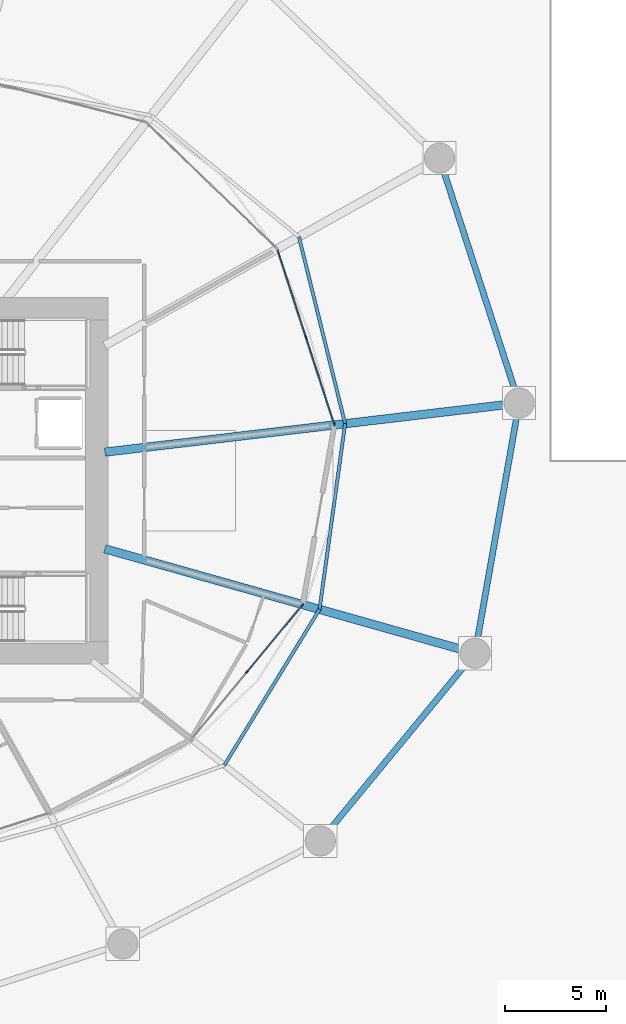
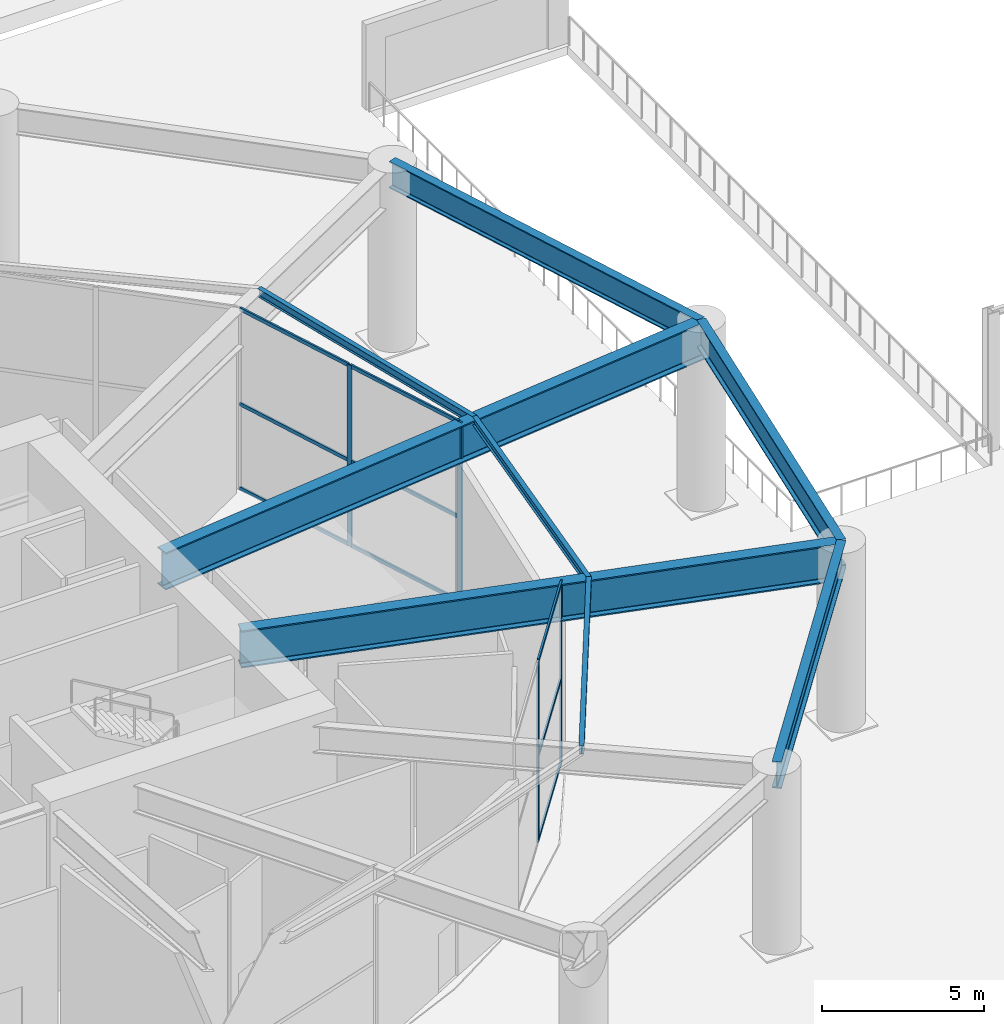
# One storey, part 14 of 28: 13 members, 8 beams, 2 elements without a shape of their own.
"""IFC4 building model written with IfcOpenShell, lengths in metres."""

import ifcopenshell
import ifcopenshell.guid

model = None  # the IFC model being written
_history = None  # IfcOwnerHistory: only IFC2X3 demands one
_inside = {}  # id of a spatial element -> (the spatial element, [elements in it])
_under = {}  # id of a project, library or spatial element -> (it, [spatial elements below it])
_declared = {}  # id of a project -> (the project, [libraries it declares])
_typed = {}  # id of a type object -> (the type object, [elements of that type])
_made_of = {}  # id of a material, layer set ... -> (it, [elements and type objects made of it])


def new_model(schema):
    """Start an empty IFC model of exactly this schema.

    Asked for "IFC4X3", IfcOpenShell would pick the latest addendum, in which some entities
    have other attributes; the version numbers below select the first issue.
    IFC2X3 requires an IfcOwnerHistory on every rooted entity: one is made here for all.
    """
    global model, _history
    if schema == "IFC4X3":
        model = ifcopenshell.file(schema_version=(4, 3, 0, 0))
    else:
        model = ifcopenshell.file(schema=schema)
    _inside.clear()
    _under.clear()
    _declared.clear()
    _typed.clear()
    _made_of.clear()
    _history = None
    if model.schema == "IFC2X3":
        org = make("IfcOrganization", Name="unknown")
        user = make(
            "IfcPersonAndOrganization",
            ThePerson=make("IfcPerson", FamilyName="unknown"),
            TheOrganization=org,
        )
        app = make(
            "IfcApplication",
            ApplicationDeveloper=org,
            Version="unknown",
            ApplicationFullName="unknown",
            ApplicationIdentifier="unknown",
        )
        _history = make(
            "IfcOwnerHistory",
            OwningUser=user,
            OwningApplication=app,
            ChangeAction="ADDED",
            CreationDate=0,
        )
    return model


def make(cls, **values):
    """One entity of the class cls with the attributes given. An attribute that is None is left unset."""
    return model.create_entity(
        cls, **{name: value for name, value in values.items() if value is not None}
    )


def rooted(cls, **values):
    """An entity with a GlobalId (a new one), such as an element, a storey or a relation."""
    return make(cls, GlobalId=ifcopenshell.guid.new(), OwnerHistory=_history, **values)


def si_unit(unit_type, name, prefix=None):
    """IfcSIUnit, for example si_unit("LENGTHUNIT", "METRE", prefix="MILLI")."""
    return make("IfcSIUnit", UnitType=unit_type, Prefix=prefix, Name=name)


def assignment(units):
    """IfcUnitAssignment: the units of a project."""
    return None if units is None else make("IfcUnitAssignment", Units=units)


def point(xyz):
    """IfcCartesianPoint."""
    return None if xyz is None else make("IfcCartesianPoint", Coordinates=xyz)


def direction(xyz):
    """IfcDirection."""
    return None if xyz is None else make("IfcDirection", DirectionRatios=xyz)


def frame(location, z_axis=None, x_axis=None):
    """IfcAxis2Placement3D, a coordinate frame: its origin and axes. An axis left out is left unset."""
    return make(
        "IfcAxis2Placement3D",
        Location=point(location),
        Axis=direction(z_axis),
        RefDirection=direction(x_axis),
    )


def frame_2d(location, x_axis=None):
    """IfcAxis2Placement2D, a coordinate frame in the plane: its origin and x axis."""
    return make(
        "IfcAxis2Placement2D", Location=point(location), RefDirection=direction(x_axis)
    )


def origin():
    """The frame at (0, 0, 0) with its axes left unset."""
    return frame((0.0, 0.0, 0.0))


def origin_2d():
    """The frame at (0, 0) in the plane with its x axis left unset."""
    return frame_2d((0.0, 0.0))


def place(relative_to, where):
    """IfcLocalPlacement: puts the frame where relative to a parent placement (None: the world)."""
    return make(
        "IfcLocalPlacement", PlacementRelTo=relative_to, RelativePlacement=where
    )


def context(
    kind, dimensions, precision=None, world=None, true_north=None, identifier=None
):
    """IfcGeometricRepresentationContext, for example the 3D "Model" context."""
    return make(
        "IfcGeometricRepresentationContext",
        ContextIdentifier=identifier,
        ContextType=kind,
        CoordinateSpaceDimension=dimensions,
        Precision=precision,
        WorldCoordinateSystem=world,
        TrueNorth=true_north,
    )


def subcontext(parent, identifier, kind, view, scale=None):
    """IfcGeometricRepresentationSubContext, for example "Body" below "Model"."""
    return make(
        "IfcGeometricRepresentationSubContext",
        ContextIdentifier=identifier,
        ContextType=kind,
        ParentContext=parent,
        TargetScale=scale,
        TargetView=view,
    )


def project(units=None, contexts=None):
    """IfcProject with its units and contexts."""
    return rooted(
        "IfcProject",
        Name="project",
        RepresentationContexts=contexts,
        UnitsInContext=assignment(units),
    )


def spatial(cls, under=None, at=None, **own):
    """A site, building, storey or space (cls), placed at a placement, below another one or the project."""
    s = rooted(cls, ObjectPlacement=at, **own)
    if under is not None:
        _under.setdefault(under.id(), (under, []))[1].append(s)
    return s


def profile(cls, at=None, kind="AREA", **sizes):
    """A parametric profile (cls). Its sizes go by their IFC names, for example OverallWidth=200.0."""
    return make(cls, ProfileType=kind, Position=at, **sizes)


def rectangle(**sizes):
    """IfcRectangleProfileDef."""
    return profile("IfcRectangleProfileDef", **sizes)


def i_section(**sizes):
    """IfcIShapeProfileDef."""
    return profile("IfcIShapeProfileDef", **sizes)


def extrude(swept, where, along, depth):
    """IfcExtrudedAreaSolid: the profile swept, set in the frame where, extruded along a direction by depth."""
    return make(
        "IfcExtrudedAreaSolid",
        SweptArea=swept,
        Position=where,
        ExtrudedDirection=direction(along),
        Depth=depth,
    )


def shape(context_of_items, identifier, shape_type, items):
    """IfcShapeRepresentation: the items that make up one representation, for example the "Body"."""
    return make(
        "IfcShapeRepresentation",
        ContextOfItems=context_of_items,
        RepresentationIdentifier=identifier,
        RepresentationType=shape_type,
        Items=items,
    )


def material(Name=None, Category=None):
    """IfcMaterial."""
    return make("IfcMaterial", Name=Name, Category=Category)


def layer(
    of_material, thickness, ventilated=None, Name=None, Category=None, Priority=None
):
    """IfcMaterialLayer: one layer of a wall or slab, of a material (None: an air gap)."""
    return make(
        "IfcMaterialLayer",
        Material=of_material,
        LayerThickness=thickness,
        IsVentilated=ventilated,
        Name=Name,
        Category=Category,
        Priority=Priority,
    )


def layer_set(layers, Name=None):
    """IfcMaterialLayerSet."""
    return make("IfcMaterialLayerSet", MaterialLayers=layers, LayerSetName=Name)


def material_profile(
    of_material, cross_section, Name=None, Category=None, Priority=None
):
    """IfcMaterialProfile: a cross section and its material."""
    return make(
        "IfcMaterialProfile",
        Name=Name,
        Material=of_material,
        Profile=cross_section,
        Priority=Priority,
        Category=Category,
    )


def profile_set(profiles, Name=None, composite=None):
    """IfcMaterialProfileSet."""
    return make(
        "IfcMaterialProfileSet",
        Name=Name,
        MaterialProfiles=profiles,
        CompositeProfile=composite,
    )


def made_of(thing, what):
    """Note that an element or type object is made of a material, layer set ...; save() writes the relation."""
    if what is not None:
        _made_of.setdefault(what.id(), (what, []))[1].append(thing)
    return thing


def type_object(cls, material=None, **own):
    """A type object (cls), such as IfcWallType, which elements share."""
    return made_of(rooted(cls, **own), material)


def element(
    cls,
    number,
    at=None,
    inside=None,
    cuts=None,
    type_object=None,
    material=None,
    context=None,
    identifier="Body",
    shape_type=None,
    held_by="IfcProductDefinitionShape",
    body=None,
    shapes=None,
    **own,
):
    """One element of the class cls, such as IfcWall. Its Tag is "e" and its number.

    at: its placement. inside: the storey or other place that contains it. cuts: it is an
    opening in that element (IfcRelVoidsElement). A single representation is given by context,
    identifier, shape_type and body (its items); several are given by shapes. held_by: the class
    of the entity that holds the representations. save() writes the other relations.
    """
    e = rooted(cls, Tag="e%d" % number, ObjectPlacement=at, **own)
    if body is not None:
        shapes = [shape(context, identifier, shape_type, body)]
    if shapes is not None:
        e.Representation = make(held_by, Representations=shapes)
    if inside is not None:
        _inside.setdefault(inside.id(), (inside, []))[1].append(e)
    if cuts is not None:
        rooted(
            "IfcRelVoidsElement", RelatingBuildingElement=cuts, RelatedOpeningElement=e
        )
    if type_object is not None:
        _typed.setdefault(type_object.id(), (type_object, []))[1].append(e)
    return made_of(e, material)


def aggregate(whole, parts):
    """IfcRelAggregates: a whole, such as a stair, and the parts it consists of."""
    return rooted("IfcRelAggregates", RelatingObject=whole, RelatedObjects=parts)


def save(model, path):
    """Write the relations noted so far, then the file.

    IfcRelAggregates (storeys below a building ...), IfcRelContainedInSpatialStructure (elements
    in a storey), IfcRelDefinesByType, IfcRelAssociatesMaterial and IfcRelDeclares: one each for
    every whole, place, type object, material and project.
    """
    for whole, parts in _under.values():
        aggregate(whole, parts)
    for where, things in _inside.values():
        rooted(
            "IfcRelContainedInSpatialStructure",
            RelatedElements=things,
            RelatingStructure=where,
        )
    for kind, things in _typed.values():
        rooted("IfcRelDefinesByType", RelatedObjects=things, RelatingType=kind)
    for what, things in _made_of.values():
        rooted("IfcRelAssociatesMaterial", RelatedObjects=things, RelatingMaterial=what)
    for by, libraries in _declared.values():
        rooted("IfcRelDeclares", RelatingContext=by, RelatedDefinitions=libraries)
    model.write(path)


model = new_model("IFC4")

# Units and contexts
model_context = context("Model", 3, precision=1e-05, world=origin(), true_north=direction((0.0, 1.0)))
body_context = subcontext(model_context, "Body", "Model", "MODEL_VIEW")
ifc_project = project(units=[si_unit("LENGTHUNIT", "METRE"), si_unit("AREAUNIT", "SQUARE_METRE"), si_unit("VOLUMEUNIT", "CUBIC_METRE"), si_unit("PLANEANGLEUNIT", "RADIAN"), si_unit("MASSUNIT", "GRAM", prefix="KILO")], contexts=[model_context])

# Site, building, storey
site_placement = place(None, origin())
site = spatial("IfcSite", under=ifc_project, at=site_placement, CompositionType="ELEMENT")
building_placement = place(site_placement, origin())
building = spatial("IfcBuilding", under=site, at=building_placement, Name="Kazma Halo Residences", CompositionType="ELEMENT")
storey_placement = place(building_placement, origin())
storey = spatial("IfcBuildingStorey", under=building, at=storey_placement, Name="L00", CompositionType="ELEMENT", Elevation=0.0)

# Beams
ifc_material_1 = material(Name="Steel S355", Category="steel")
ifc_material_profile_1 = material_profile(ifc_material_1, i_section(OverallWidth=0.1650390625, OverallDepth=0.31005859375, WebThickness=0.005859375, FlangeThickness=0.009765625, FilletRadius=0.011962890625, at=origin_2d()), Name="W310x38.7")
ifc_profile_set_1 = profile_set([ifc_material_profile_1], Name="Steel S355")
beam_type_1 = type_object("IfcBeamType", Name="BM-SEC-W310B", PredefinedType="JOIST", material=ifc_profile_set_1)
beam_1_placement = place(storey_placement, frame((65.939453125, 27.857666015625, 6.64501953125), z_axis=(0.521128000965, 0.853478533187, 0.0), x_axis=(-0.853478533187, 0.521128000965, 0.0)))
element("IfcBeam", 1, at=beam_1_placement, inside=storey, type_object=beam_type_1, Name="L00 circumferential floor joist 14", PredefinedType="JOIST", context=body_context, shape_type="SweptSolid", body=[
    extrude(i_section(OverallWidth=0.1650390625, OverallDepth=0.31005859375, WebThickness=0.005859375, FlangeThickness=0.009765625, FilletRadius=0.011962890625, at=origin_2d()), origin(), (0.0, 0.0, 1.0), 9.078857421875),
])
beam_2_placement = place(storey_placement, frame((70.670654296875, 35.606201171875, 6.64501953125), z_axis=(0.136476861279, 0.990643258865, 0.0), x_axis=(-0.990643258865, 0.136476861279, 0.0)))
element("IfcBeam", 2, at=beam_2_placement, inside=storey, type_object=beam_type_1, Name="L00 circumferential floor joist 15", PredefinedType="JOIST", context=body_context, shape_type="SweptSolid", body=[
    extrude(i_section(OverallWidth=0.1650390625, OverallDepth=0.31005859375, WebThickness=0.005859375, FlangeThickness=0.009765625, FilletRadius=0.011962890625, at=origin_2d()), origin(), (0.0, 0.0, 1.0), 9.314697265625),
])
beam_3_placement = place(storey_placement, frame((71.94189453125, 44.833740234375, 6.64501953125), z_axis=(-0.239845066169, 0.970811178466, 0.0), x_axis=(-0.970811178466, -0.239845066169, 0.0)))
element("IfcBeam", 3, at=beam_3_placement, inside=storey, type_object=beam_type_1, Name="L00 circumferential floor joist 16", PredefinedType="JOIST", context=body_context, shape_type="SweptSolid", body=[
    extrude(i_section(OverallWidth=0.1650390625, OverallDepth=0.31005859375, WebThickness=0.005859375, FlangeThickness=0.009765625, FilletRadius=0.011962890625, at=origin_2d()), origin(), (0.0, 0.0, 1.0), 9.568359375),
])
ifc_material_profile_2 = material_profile(ifc_material_1, i_section(OverallWidth=0.419921875, OverallDepth=1.39990234375, WebThickness=0.02587890625, FlangeThickness=0.048095703125, FilletRadius=0.02392578125, at=origin_2d()), Name="PG1400x580")
ifc_profile_set_2 = profile_set([ifc_material_profile_2], Name="Steel S355")
beam_type_2 = type_object("IfcBeamType", Name="BM-TRANS-PG1400", PredefinedType="BEAM", material=ifc_profile_set_2)
beam_4_placement = place(storey_placement, frame((60.0, 38.615478515625, 6.10009765625), z_axis=(0.962458146095, -0.271430132845, 0.0), x_axis=(0.271430132845, 0.962458146095, 0.0)))
element("IfcBeam", 4, at=beam_4_placement, inside=storey, type_object=beam_type_2, Name="L00 lobe radial plate transfer girder 15", PredefinedType="BEAM", context=body_context, shape_type="SweptSolid", body=[
    extrude(i_section(OverallWidth=0.419921875, OverallDepth=1.39990234375, WebThickness=0.02587890625, FlangeThickness=0.048095703125, FilletRadius=0.02392578125, at=origin_2d()), origin(), (0.0, 0.0, 1.0), 19.115234375),
])
beam_5_placement = place(storey_placement, frame((60.0, 43.42041015625, 6.10009765625), z_axis=(0.993069425949, 0.117529210178, 0.0), x_axis=(-0.117529210178, 0.993069425949, 0.0)))
element("IfcBeam", 5, at=beam_5_placement, inside=storey, type_object=beam_type_2, Name="L00 lobe radial plate transfer girder 16", PredefinedType="BEAM", context=body_context, shape_type="SweptSolid", body=[
    extrude(i_section(OverallWidth=0.419921875, OverallDepth=1.39990234375, WebThickness=0.02587890625, FlangeThickness=0.048095703125, FilletRadius=0.02392578125, at=origin_2d()), origin(), (0.0, 0.0, 1.0), 20.7333984375),
])
ifc_material_profile_3 = material_profile(ifc_material_1, i_section(OverallWidth=0.300048828125, OverallDepth=1.0, WebThickness=0.01904296875, FlangeThickness=0.0400390625, FilletRadius=0.02587890625, at=origin_2d()), Name="W1000x371")
ifc_profile_set_3 = profile_set([ifc_material_profile_3], Name="Steel S355")
beam_type_3 = type_object("IfcBeamType", Name="BM-TRANS-W1000B", PredefinedType="BEAM", material=ifc_profile_set_3)
beam_6_placement = place(storey_placement, frame((70.708984375, 24.09765625, 6.300048828125), z_axis=(0.635989643733, 0.771697591718, 0.0), x_axis=(-0.771697591718, 0.635989643733, 0.0)))
element("IfcBeam", 6, at=beam_6_placement, inside=storey, type_object=beam_type_3, Name="L00 perimeter ring beam 14", PredefinedType="BEAM", context=body_context, shape_type="SweptSolid", body=[
    extrude(i_section(OverallWidth=0.300048828125, OverallDepth=1.0, WebThickness=0.01904296875, FlangeThickness=0.0400390625, FilletRadius=0.02587890625, at=origin_2d()), origin(), (0.0, 0.0, 1.0), 12.08935546875),
])
beam_7_placement = place(storey_placement, frame((78.397705078125, 33.427001953125, 6.300048828125), z_axis=(0.173657334149, 0.984806138434, 0.0), x_axis=(-0.984806138434, 0.173657334149, 0.0)))
element("IfcBeam", 7, at=beam_7_placement, inside=storey, type_object=beam_type_3, Name="L00 perimeter ring beam 15", PredefinedType="BEAM", context=body_context, shape_type="SweptSolid", body=[
    extrude(i_section(OverallWidth=0.300048828125, OverallDepth=1.0, WebThickness=0.01904296875, FlangeThickness=0.0400390625, FilletRadius=0.02587890625, at=origin_2d()), origin(), (0.0, 0.0, 1.0), 12.6220703125),
])
beam_8_placement = place(storey_placement, frame((80.589599609375, 45.857177734375, 6.300048828125), z_axis=(-0.3090114866, 0.951058305862, 0.0), x_axis=(-0.951058305862, -0.3090114866, 0.0)))
element("IfcBeam", 8, at=beam_8_placement, inside=storey, type_object=beam_type_3, Name="L00 perimeter ring beam 16", PredefinedType="BEAM", context=body_context, shape_type="SweptSolid", body=[
    extrude(i_section(OverallWidth=0.300048828125, OverallDepth=1.0, WebThickness=0.01904296875, FlangeThickness=0.0400390625, FilletRadius=0.02587890625, at=origin_2d()), origin(), (0.0, 0.0, 1.0), 12.8046875),
])

# Curtain wall, members
ifc_material_2 = material(Name="Aluminium AW-6063 T6 and Triple-Silver Low-E Glass", Category="aluminium")
ifc_layer = layer(ifc_material_2, 0.179931640625)
ifc_layer_set = layer_set([ifc_layer], Name="Aluminium AW-6063 T6 and Triple-Silver Low-E Glass")
curtain_wall_type = type_object("IfcCurtainWallType", Name="CW-SYS-1", PredefinedType="NOTDEFINED", material=ifc_layer_set)
curtain_wall_1_placement = place(storey_placement, origin())
curtain_wall_1 = element("IfcCurtainWall", 9, at=curtain_wall_1_placement, inside=storey, type_object=curtain_wall_type, Name="L00 lobby unitised curtain wall 14", PredefinedType="NOTDEFINED")
ifc_material_3 = material(Name="Aluminium AW-6063 T6", Category="aluminium")
ifc_material_profile_4 = material_profile(ifc_material_3, rectangle(XDim=0.06494140625, YDim=0.179931640625, at=origin_2d()), Name="CWM-65x180")
ifc_profile_set_4 = profile_set([ifc_material_profile_4], Name="Aluminium AW-6063 T6")
member_type_1 = type_object("IfcMemberType", Name="CW-SYS-1-MUL", PredefinedType="MULLION", material=ifc_profile_set_4)
member_1_placement = place(storey_placement, frame((67.069091796875, 32.49462890625, 0.0), z_axis=(0.0, 0.0, 1.0), x_axis=(-0.770944051001, 0.636902873463, 0.0)))
member_1 = element("IfcMember", 10, at=member_1_placement, type_object=member_type_1, Name="CWS-1 mullion 2", PredefinedType="MULLION", context=body_context, shape_type="SweptSolid", body=[
    extrude(rectangle(XDim=0.06494140625, YDim=0.179931640625, at=origin_2d()), origin(), (0.0, 0.0, 1.0), 6.800048828125),
])
member_2_placement = place(storey_placement, frame((69.813720703125, 35.81689453125, 0.0), z_axis=(0.0, 0.0, 1.0), x_axis=(-0.770944051001, 0.636902873463, 0.0)))
member_2 = element("IfcMember", 11, at=member_2_placement, type_object=member_type_1, Name="CWS-1 mullion 3", PredefinedType="MULLION", context=body_context, shape_type="SweptSolid", body=[
    extrude(rectangle(XDim=0.06494140625, YDim=0.179931640625, at=origin_2d()), origin(), (0.0, 0.0, 1.0), 6.800048828125),
])

curtain_wall_2_placement = place(storey_placement, origin())
curtain_wall_2 = element("IfcCurtainWall", 12, at=curtain_wall_2_placement, inside=storey, type_object=curtain_wall_type, Name="L00 lobby unitised curtain wall 16", PredefinedType="NOTDEFINED")
member_3_placement = place(storey_placement, frame((71.403564453125, 44.802001953125, 0.0), z_axis=(0.0, 0.0, 1.0), x_axis=(-0.951057232628, -0.309014789719, 0.0)))
member_3 = element("IfcMember", 13, at=member_3_placement, type_object=member_type_1, Name="CWS-1 mullion 1", PredefinedType="MULLION", context=body_context, shape_type="SweptSolid", body=[
    extrude(rectangle(XDim=0.06494140625, YDim=0.179931640625, at=origin_2d()), origin(), (0.0, 0.0, 1.0), 6.800048828125),
])
member_4_placement = place(storey_placement, frame((69.9921875, 49.145751953125, 0.0), z_axis=(0.0, 0.0, 1.0), x_axis=(-0.951057232628, -0.309014789719, 0.0)))
member_4 = element("IfcMember", 14, at=member_4_placement, type_object=member_type_1, Name="CWS-1 mullion 2", PredefinedType="MULLION", context=body_context, shape_type="SweptSolid", body=[
    extrude(rectangle(XDim=0.06494140625, YDim=0.179931640625, at=origin_2d()), origin(), (0.0, 0.0, 1.0), 6.800048828125),
])

# Member
ifc_material_profile_5 = material_profile(ifc_material_3, rectangle(XDim=0.06494140625, YDim=0.135009765625, at=origin_2d()), Name="CWT-65x135")
ifc_profile_set_5 = profile_set([ifc_material_profile_5], Name="Aluminium AW-6063 T6")
member_type_2 = type_object("IfcMemberType", Name="CW-SYS-1-TRN", PredefinedType="USERDEFINED", material=ifc_profile_set_5)
member_5_placement = place(storey_placement, frame((67.08984375, 32.519775390625, 0.032470703125), z_axis=(0.636914148558, 0.770934736126, 0.0), x_axis=(-0.770934736126, 0.636914148558, 0.0)))
member_5 = element("IfcMember", 15, at=member_5_placement, type_object=member_type_2, Name="CWS-1 transom 2.1", ObjectType="TRANSOM", PredefinedType="USERDEFINED", context=body_context, shape_type="SweptSolid", body=[
    extrude(rectangle(XDim=0.06494140625, YDim=0.135009765625, at=origin_2d()), origin(), (0.0, 0.0, 1.0), 4.244384765625),
])

member_6_placement = place(storey_placement, frame((67.08984375, 32.519775390625, 3.199951171875), z_axis=(0.636914148558, 0.770934736126, 0.0), x_axis=(-0.770934736126, 0.636914148558, 0.0)))
member_6 = element("IfcMember", 16, at=member_6_placement, type_object=member_type_2, Name="CWS-1 transom 2.2", ObjectType="TRANSOM", PredefinedType="USERDEFINED", context=body_context, shape_type="SweptSolid", body=[
    extrude(rectangle(XDim=0.06494140625, YDim=0.135009765625, at=origin_2d()), origin(), (0.0, 0.0, 1.0), 4.244384765625),
])

member_7_placement = place(storey_placement, frame((67.08984375, 32.519775390625, 6.767578125), z_axis=(0.636914148558, 0.770934736126, 0.0), x_axis=(-0.770934736126, 0.636914148558, 0.0)))
member_7 = element("IfcMember", 17, at=member_7_placement, type_object=member_type_2, Name="CWS-1 transom 2.3", ObjectType="TRANSOM", PredefinedType="USERDEFINED", context=body_context, shape_type="SweptSolid", body=[
    extrude(rectangle(XDim=0.06494140625, YDim=0.135009765625, at=origin_2d()), origin(), (0.0, 0.0, 1.0), 4.244384765625),
])

aggregate(curtain_wall_1, [member_1, member_2, member_5, member_6, member_7])

member_8_placement = place(storey_placement, frame((71.3935546875, 44.8330078125, 0.032470703125), z_axis=(-0.309044381908, 0.95104761711, 0.0), x_axis=(-0.95104761711, -0.309044381908, 0.0)))
member_8 = element("IfcMember", 18, at=member_8_placement, type_object=member_type_2, Name="CWS-1 transom 1.1", ObjectType="TRANSOM", PredefinedType="USERDEFINED", context=body_context, shape_type="SweptSolid", body=[
    extrude(rectangle(XDim=0.06494140625, YDim=0.135009765625, at=origin_2d()), origin(), (0.0, 0.0, 1.0), 4.502197265625),
])

member_9_placement = place(storey_placement, frame((71.3935546875, 44.8330078125, 3.199951171875), z_axis=(-0.309044381908, 0.95104761711, 0.0), x_axis=(-0.95104761711, -0.309044381908, 0.0)))
member_9 = element("IfcMember", 19, at=member_9_placement, type_object=member_type_2, Name="CWS-1 transom 1.2", ObjectType="TRANSOM", PredefinedType="USERDEFINED", context=body_context, shape_type="SweptSolid", body=[
    extrude(rectangle(XDim=0.06494140625, YDim=0.135009765625, at=origin_2d()), origin(), (0.0, 0.0, 1.0), 4.502197265625),
])

member_10_placement = place(storey_placement, frame((71.3935546875, 44.8330078125, 6.767578125), z_axis=(-0.309044381908, 0.95104761711, 0.0), x_axis=(-0.95104761711, -0.309044381908, 0.0)))
member_10 = element("IfcMember", 20, at=member_10_placement, type_object=member_type_2, Name="CWS-1 transom 1.3", ObjectType="TRANSOM", PredefinedType="USERDEFINED", context=body_context, shape_type="SweptSolid", body=[
    extrude(rectangle(XDim=0.06494140625, YDim=0.135009765625, at=origin_2d()), origin(), (0.0, 0.0, 1.0), 4.502197265625),
])

member_11_placement = place(storey_placement, frame((69.982177734375, 49.176513671875, 0.032470703125), z_axis=(-0.308979396416, 0.951068731791, 0.0), x_axis=(-0.951068731791, -0.308979396416, 0.0)))
member_11 = element("IfcMember", 21, at=member_11_placement, type_object=member_type_2, Name="CWS-1 transom 2.1", ObjectType="TRANSOM", PredefinedType="USERDEFINED", context=body_context, shape_type="SweptSolid", body=[
    extrude(rectangle(XDim=0.06494140625, YDim=0.135009765625, at=origin_2d()), origin(), (0.0, 0.0, 1.0), 4.502197265625),
])

member_12_placement = place(storey_placement, frame((69.982177734375, 49.176513671875, 3.199951171875), z_axis=(-0.308979396416, 0.951068731791, 0.0), x_axis=(-0.951068731791, -0.308979396416, 0.0)))
member_12 = element("IfcMember", 22, at=member_12_placement, type_object=member_type_2, Name="CWS-1 transom 2.2", ObjectType="TRANSOM", PredefinedType="USERDEFINED", context=body_context, shape_type="SweptSolid", body=[
    extrude(rectangle(XDim=0.06494140625, YDim=0.135009765625, at=origin_2d()), origin(), (0.0, 0.0, 1.0), 4.502197265625),
])

member_13_placement = place(storey_placement, frame((69.982177734375, 49.176513671875, 6.767578125), z_axis=(-0.308979396416, 0.951068731791, 0.0), x_axis=(-0.951068731791, -0.308979396416, 0.0)))
member_13 = element("IfcMember", 23, at=member_13_placement, type_object=member_type_2, Name="CWS-1 transom 2.3", ObjectType="TRANSOM", PredefinedType="USERDEFINED", context=body_context, shape_type="SweptSolid", body=[
    extrude(rectangle(XDim=0.06494140625, YDim=0.135009765625, at=origin_2d()), origin(), (0.0, 0.0, 1.0), 4.502197265625),
])

aggregate(curtain_wall_2, [member_3, member_4, member_8, member_9, member_10, member_11, member_12, member_13])

save(model, "model.ifc")
